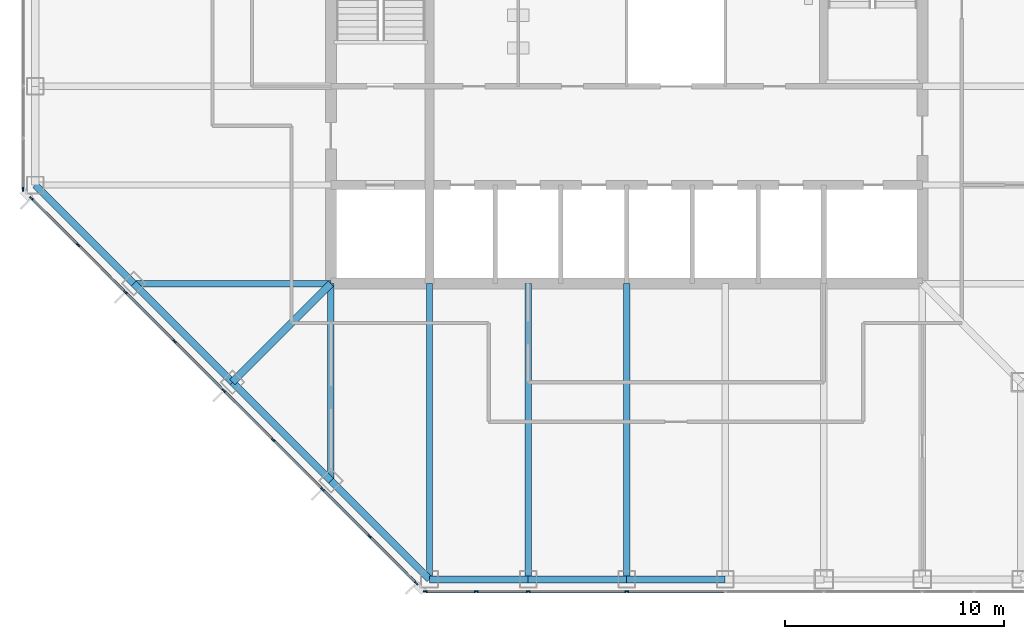
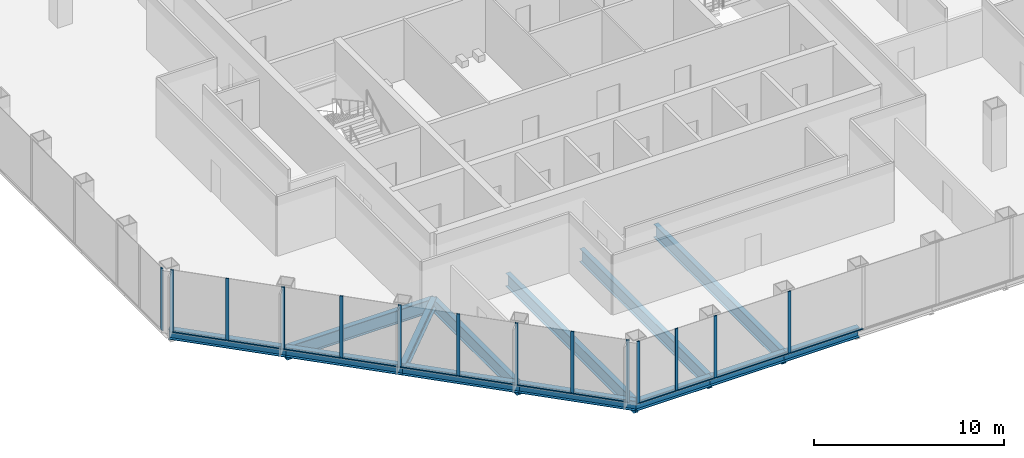
# One storey, part 2 of 12: 26 members, 13 beams, 3 elements without a shape of their own.
"""IFC4 building model written with IfcOpenShell, lengths in metres."""

from ifc_helpers import new_model, si_unit, direction, frame, origin, origin_2d, place, context, subcontext, project, spatial, rectangle, i_section, extrude, material, material_profile, profile_set, type_object, element, aggregate, save


model = new_model("IFC4")

# Units and contexts
model_context = context("Model", 3, precision=1e-05, world=origin(), true_north=direction((0.0, 1.0)))
body_context = subcontext(model_context, "Body", "Model", "MODEL_VIEW")
ifc_project = project(units=[si_unit("LENGTHUNIT", "METRE"), si_unit("AREAUNIT", "SQUARE_METRE"), si_unit("VOLUMEUNIT", "CUBIC_METRE"), si_unit("PLANEANGLEUNIT", "RADIAN"), si_unit("MASSUNIT", "GRAM", prefix="KILO")], contexts=[model_context])

# Site, building, storey
site_placement = place(None, origin())
site = spatial("IfcSite", under=ifc_project, at=site_placement, CompositionType="ELEMENT")
building_placement = place(site_placement, origin())
building = spatial("IfcBuilding", under=site, at=building_placement, Name="Corais Broadcast Tower", CompositionType="ELEMENT")
storey_placement = place(building_placement, frame((0.0, 0.0, 115.60009765625)))
storey = spatial("IfcBuildingStorey", under=building, at=storey_placement, Name="L25", CompositionType="ELEMENT", Elevation=115.60009765625)

# Beams
ifc_material_1 = material(Name="Steel ASTM A572 Grade 50", Category="steel")
ifc_material_profile_1 = material_profile(ifc_material_1, i_section(OverallWidth=0.323974609375, OverallDepth=0.611083984375, WebThickness=0.0126953125, FlangeThickness=0.01904296875, at=origin_2d()), Name="W610x155")
ifc_profile_set_1 = profile_set([ifc_material_profile_1], Name="Steel ASTM A572 Grade 50")
beam_type_1 = type_object("IfcBeamType", Name="Corner diagonal W610x155", PredefinedType="BEAM", material=ifc_profile_set_1)
beam_1_placement = place(storey_placement, frame((9.0, 9.0, -0.465576171875), z_axis=(0.707106781187, 0.707106781187, 0.0), x_axis=(-0.707106781187, 0.707106781187, 0.0)))
element("IfcBeam", 1, at=beam_1_placement, inside=storey, type_object=beam_type_1, Name="B6 C/5 to D/6", PredefinedType="BEAM", context=body_context, shape_type="SweptSolid", body=[
    extrude(i_section(OverallWidth=0.323974609375, OverallDepth=0.611083984375, WebThickness=0.0126953125, FlangeThickness=0.01904296875, at=origin_2d()), origin(), (0.0, 0.0, 1.0), 6.364013671875),
])
ifc_material_2 = material(Name="Steel ASTM A572 Grade 50", Category="steel")
ifc_material_profile_2 = material_profile(ifc_material_2, i_section(OverallWidth=0.2939453125, OverallDepth=0.85107421875, WebThickness=0.01611328125, FlangeThickness=0.02685546875, at=origin_2d()), Name="W840x226")
ifc_profile_set_2 = profile_set([ifc_material_profile_2], Name="Steel ASTM A572 Grade 50")
beam_type_2 = type_object("IfcBeamType", Name="Floor beam W840x226", PredefinedType="BEAM", material=ifc_profile_set_2)
beam_2_placement = place(storey_placement, frame((13.5, 4.5, -0.585693359375), z_axis=(0.0, 1.0, 0.0), x_axis=(-1.0, 0.0, 0.0)))
element("IfcBeam", 2, at=beam_2_placement, inside=storey, type_object=beam_type_2, Name="B1 B/6 to D/6", PredefinedType="BEAM", context=body_context, shape_type="SweptSolid", body=[
    extrude(i_section(OverallWidth=0.2939453125, OverallDepth=0.85107421875, WebThickness=0.01611328125, FlangeThickness=0.02685546875, at=origin_2d()), origin(), (0.0, 0.0, 1.0), 9.0),
])
for number, where, z_axis, x_axis, name in (
    (3, (18.0, 0.0, -0.585693359375), (0.0, 1.0, 0.0), (-1.0, 0.0, 0.0), "B1 A/7 to D/7"),
    (4, (22.5, 0.0, -0.585693359375), (0.0, 1.0, 0.0), (-1.0, 0.0, 0.0), "B1 A/8 to D/8"),
    (5, (27.0, 0.0, -0.585693359375), (0.0, 1.0, 0.0), (-1.0, 0.0, 0.0), "B1 A/9 to D/9"),
):
    element("IfcBeam", number, at=place(storey_placement, frame(where, z_axis=z_axis, x_axis=x_axis)), inside=storey, type_object=beam_type_2, Name=name, PredefinedType="BEAM", context=body_context, shape_type="SweptSolid", body=[
        extrude(i_section(OverallWidth=0.2939453125, OverallDepth=0.85107421875, WebThickness=0.01611328125, FlangeThickness=0.02685546875, at=origin_2d()), origin(), (0.0, 0.0, 1.0), 13.5),
    ])
beam_3_placement = place(storey_placement, frame((4.5, 13.5, -0.585693359375), z_axis=(1.0, 0.0, 0.0), x_axis=(0.0, 1.0, 0.0)))
element("IfcBeam", 6, at=beam_3_placement, inside=storey, type_object=beam_type_2, Name="B1 D/4 to D/6", PredefinedType="BEAM", context=body_context, shape_type="SweptSolid", body=[
    extrude(i_section(OverallWidth=0.2939453125, OverallDepth=0.85107421875, WebThickness=0.01611328125, FlangeThickness=0.02685546875, at=origin_2d()), origin(), (0.0, 0.0, 1.0), 9.0),
])

# Curtain wall, members
ifc_material_3 = material(Name="Aluminium and glass", Category="aluminium")
curtain_wall_type = type_object("IfcCurtainWallType", Name="Unitised fritted curtain wall CW2", PredefinedType="NOTDEFINED", material=ifc_material_3)
curtain_wall_1_placement = place(storey_placement, origin())
curtain_wall_1 = element("IfcCurtainWall", 7, at=curtain_wall_1_placement, inside=storey, type_object=curtain_wall_type, Name="CW2 curtain wall L25 1", PredefinedType="NOTDEFINED")
ifc_material_4 = material(Name="Aluminium 6063-T6", Category="aluminium")
ifc_material_profile_3 = material_profile(ifc_material_4, rectangle(XDim=0.06494140625, YDim=0.179931640625, at=origin_2d()), Name="Mullion CW2 65x180")
ifc_profile_set_3 = profile_set([ifc_material_profile_3], Name="Aluminium 6063-T6")
member_type_1 = type_object("IfcMemberType", Name="Mullion CW2 65x180", PredefinedType="MULLION", material=ifc_profile_set_3)
member_1_placement = place(storey_placement, frame((17.3955078125, -0.17333984375, 0.0), z_axis=(0.0, 0.0, 1.0), x_axis=(-0.707106781187, -0.707106781187, 0.0)))
member_1 = element("IfcMember", 8, at=member_1_placement, type_object=member_type_1, Name="CW2 mullion 1", PredefinedType="MULLION", context=body_context, shape_type="SweptSolid", body=[
    extrude(rectangle(XDim=0.06494140625, YDim=0.179931640625, at=origin_2d()), origin(), (0.0, 0.0, 1.0), 4.0),
])
member_2_placement = place(storey_placement, frame((15.264892578125, 1.957275390625, 0.0), z_axis=(0.0, 0.0, 1.0), x_axis=(-0.707106781187, -0.707106781187, 0.0)))
member_2 = element("IfcMember", 9, at=member_2_placement, type_object=member_type_1, Name="CW2 mullion 2", PredefinedType="MULLION", context=body_context, shape_type="SweptSolid", body=[
    extrude(rectangle(XDim=0.06494140625, YDim=0.179931640625, at=origin_2d()), origin(), (0.0, 0.0, 1.0), 4.0),
])
member_3_placement = place(storey_placement, frame((13.111083984375, 4.111083984375, 0.0), z_axis=(0.0, 0.0, 1.0), x_axis=(-0.707106781187, -0.707106781187, 0.0)))
member_3 = element("IfcMember", 10, at=member_3_placement, type_object=member_type_1, Name="CW2 mullion 3", PredefinedType="MULLION", context=body_context, shape_type="SweptSolid", body=[
    extrude(rectangle(XDim=0.06494140625, YDim=0.179931640625, at=origin_2d()), origin(), (0.0, 0.0, 1.0), 4.0),
])
member_4_placement = place(storey_placement, frame((10.861083984375, 6.361083984375, 0.0), z_axis=(0.0, 0.0, 1.0), x_axis=(-0.707106781187, -0.707106781187, 0.0)))
member_4 = element("IfcMember", 11, at=member_4_placement, type_object=member_type_1, Name="CW2 mullion 4", PredefinedType="MULLION", context=body_context, shape_type="SweptSolid", body=[
    extrude(rectangle(XDim=0.06494140625, YDim=0.179931640625, at=origin_2d()), origin(), (0.0, 0.0, 1.0), 4.0),
])
member_5_placement = place(storey_placement, frame((8.611083984375, 8.611083984375, 0.0), z_axis=(0.0, 0.0, 1.0), x_axis=(-0.707106781187, -0.707106781187, 0.0)))
member_5 = element("IfcMember", 12, at=member_5_placement, type_object=member_type_1, Name="CW2 mullion 5", PredefinedType="MULLION", context=body_context, shape_type="SweptSolid", body=[
    extrude(rectangle(XDim=0.06494140625, YDim=0.179931640625, at=origin_2d()), origin(), (0.0, 0.0, 1.0), 4.0),
])
member_6_placement = place(storey_placement, frame((6.361083984375, 10.861083984375, 0.0), z_axis=(0.0, 0.0, 1.0), x_axis=(-0.707106781187, -0.707106781187, 0.0)))
member_6 = element("IfcMember", 13, at=member_6_placement, type_object=member_type_1, Name="CW2 mullion 6", PredefinedType="MULLION", context=body_context, shape_type="SweptSolid", body=[
    extrude(rectangle(XDim=0.06494140625, YDim=0.179931640625, at=origin_2d()), origin(), (0.0, 0.0, 1.0), 4.0),
])
member_7_placement = place(storey_placement, frame((4.111083984375, 13.111083984375, 0.0), z_axis=(0.0, 0.0, 1.0), x_axis=(-0.707106781187, -0.707106781187, 0.0)))
member_7 = element("IfcMember", 14, at=member_7_placement, type_object=member_type_1, Name="CW2 mullion 7", PredefinedType="MULLION", context=body_context, shape_type="SweptSolid", body=[
    extrude(rectangle(XDim=0.06494140625, YDim=0.179931640625, at=origin_2d()), origin(), (0.0, 0.0, 1.0), 4.0),
])
member_8_placement = place(storey_placement, frame((1.957275390625, 15.264892578125, 0.0), z_axis=(0.0, 0.0, 1.0), x_axis=(-0.707106781187, -0.707106781187, 0.0)))
member_8 = element("IfcMember", 15, at=member_8_placement, type_object=member_type_1, Name="CW2 mullion 8", PredefinedType="MULLION", context=body_context, shape_type="SweptSolid", body=[
    extrude(rectangle(XDim=0.06494140625, YDim=0.179931640625, at=origin_2d()), origin(), (0.0, 0.0, 1.0), 4.0),
])
member_9_placement = place(storey_placement, frame((-0.17333984375, 17.3955078125, 0.0), z_axis=(0.0, 0.0, 1.0), x_axis=(-0.707106781187, -0.707106781187, 0.0)))
member_9 = element("IfcMember", 16, at=member_9_placement, type_object=member_type_1, Name="CW2 mullion 9", PredefinedType="MULLION", context=body_context, shape_type="SweptSolid", body=[
    extrude(rectangle(XDim=0.06494140625, YDim=0.179931640625, at=origin_2d()), origin(), (0.0, 0.0, 1.0), 4.0),
])

# Curtain wall, member
curtain_wall_2_placement = place(storey_placement, origin())
curtain_wall_2 = element("IfcCurtainWall", 17, at=curtain_wall_2_placement, inside=storey, type_object=curtain_wall_type, Name="CW2 curtain wall L25 2", PredefinedType="NOTDEFINED")
member_10_placement = place(storey_placement, frame((-0.550048828125, 17.8046875, 0.0), z_axis=(0.0, 0.0, 1.0), x_axis=(-1.0, 0.0, 0.0)))
member_10 = element("IfcMember", 18, at=member_10_placement, type_object=member_type_1, Name="CW2 mullion 1", PredefinedType="MULLION", context=body_context, shape_type="SweptSolid", body=[
    extrude(rectangle(XDim=0.06494140625, YDim=0.179931640625, at=origin_2d()), origin(), (0.0, 0.0, 1.0), 4.0),
])
aggregate(curtain_wall_2, [member_10])

# Curtain wall, members
curtain_wall_3_placement = place(storey_placement, origin())
curtain_wall_3 = element("IfcCurtainWall", 19, at=curtain_wall_3_placement, inside=storey, type_object=curtain_wall_type, Name="CW2 curtain wall L25 8", PredefinedType="NOTDEFINED")
member_11_placement = place(storey_placement, frame((27.0, -0.550048828125, 0.0), z_axis=(0.0, 0.0, 1.0), x_axis=(0.0, -1.0, 0.0)))
member_11 = element("IfcMember", 20, at=member_11_placement, type_object=member_type_1, Name="CW2 mullion 6", PredefinedType="MULLION", context=body_context, shape_type="SweptSolid", body=[
    extrude(rectangle(XDim=0.06494140625, YDim=0.179931640625, at=origin_2d()), origin(), (0.0, 0.0, 1.0), 4.0),
])
member_12_placement = place(storey_placement, frame((22.5, -0.550048828125, 0.0), z_axis=(0.0, 0.0, 1.0), x_axis=(0.0, -1.0, 0.0)))
member_12 = element("IfcMember", 21, at=member_12_placement, type_object=member_type_1, Name="CW2 mullion 7", PredefinedType="MULLION", context=body_context, shape_type="SweptSolid", body=[
    extrude(rectangle(XDim=0.06494140625, YDim=0.179931640625, at=origin_2d()), origin(), (0.0, 0.0, 1.0), 4.0),
])
member_13_placement = place(storey_placement, frame((20.135986328125, -0.550048828125, 0.0), z_axis=(0.0, 0.0, 1.0), x_axis=(0.0, -1.0, 0.0)))
member_13 = element("IfcMember", 22, at=member_13_placement, type_object=member_type_1, Name="CW2 mullion 8", PredefinedType="MULLION", context=body_context, shape_type="SweptSolid", body=[
    extrude(rectangle(XDim=0.06494140625, YDim=0.179931640625, at=origin_2d()), origin(), (0.0, 0.0, 1.0), 4.0),
])
member_14_placement = place(storey_placement, frame((17.8046875, -0.550048828125, 0.0), z_axis=(0.0, 0.0, 1.0), x_axis=(0.0, -1.0, 0.0)))
member_14 = element("IfcMember", 23, at=member_14_placement, type_object=member_type_1, Name="CW2 mullion 9", PredefinedType="MULLION", context=body_context, shape_type="SweptSolid", body=[
    extrude(rectangle(XDim=0.06494140625, YDim=0.179931640625, at=origin_2d()), origin(), (0.0, 0.0, 1.0), 4.0),
])

# Beams
ifc_material_5 = material(Name="Steel ASTM A572 Grade 50", Category="steel")
ifc_material_profile_4 = material_profile(ifc_material_5, i_section(OverallWidth=0.3291015625, OverallDepth=0.635009765625, WebThickness=0.017822265625, FlangeThickness=0.031005859375, at=origin_2d()), Name="W610x241")
ifc_profile_set_4 = profile_set([ifc_material_profile_4], Name="Steel ASTM A572 Grade 50")
beam_type_3 = type_object("IfcBeamType", Name="Spandrel W610x241", PredefinedType="BEAM", material=ifc_profile_set_4)
for number, where, z_axis, x_axis, name in (
    (24, (0.0, 18.0, -0.4775390625), (0.707106781187, -0.707106781187, 0.0), (0.707106781187, 0.707106781187, 0.0), "SB1 E/3 to D/4"),
    (25, (13.5, 4.5, -0.4775390625), (0.707106781187, -0.707106781187, 0.0), (0.707106781187, 0.707106781187, 0.0), "SB1 B/6 to A/7"),
):
    element("IfcBeam", number, at=place(storey_placement, frame(where, z_axis=z_axis, x_axis=x_axis)), inside=storey, type_object=beam_type_3, Name=name, PredefinedType="BEAM", context=body_context, shape_type="SweptSolid", body=[
        extrude(i_section(OverallWidth=0.3291015625, OverallDepth=0.635009765625, WebThickness=0.017822265625, FlangeThickness=0.031005859375, at=origin_2d()), origin(), (0.0, 0.0, 1.0), 6.364013671875),
    ])
for number, where, z_axis, x_axis, name in (
    (26, (18.0, 0.0, -0.4775390625), (1.0, 0.0, 0.0), (0.0, 1.0, 0.0), "SB1 A/7 to A/8"),
    (27, (22.5, 0.0, -0.4775390625), (1.0, 0.0, 0.0), (0.0, 1.0, 0.0), "SB1 A/8 to A/9"),
    (28, (27.0, 0.0, -0.4775390625), (1.0, 0.0, 0.0), (0.0, 1.0, 0.0), "SB1 A/9 to A/10"),
):
    element("IfcBeam", number, at=place(storey_placement, frame(where, z_axis=z_axis, x_axis=x_axis)), inside=storey, type_object=beam_type_3, Name=name, PredefinedType="BEAM", context=body_context, shape_type="SweptSolid", body=[
        extrude(i_section(OverallWidth=0.3291015625, OverallDepth=0.635009765625, WebThickness=0.017822265625, FlangeThickness=0.031005859375, at=origin_2d()), origin(), (0.0, 0.0, 1.0), 4.5),
    ])
for number, where, z_axis, x_axis, name in (
    (29, (4.5, 13.5, -0.4775390625), (0.707106781187, -0.707106781187, 0.0), (0.707106781187, 0.707106781187, 0.0), "SB1 D/4 to C/5"),
    (30, (9.0, 9.0, -0.4775390625), (0.707106781187, -0.707106781187, 0.0), (0.707106781187, 0.707106781187, 0.0), "SB1 C/5 to B/6"),
):
    element("IfcBeam", number, at=place(storey_placement, frame(where, z_axis=z_axis, x_axis=x_axis)), inside=storey, type_object=beam_type_3, Name=name, PredefinedType="BEAM", context=body_context, shape_type="SweptSolid", body=[
        extrude(i_section(OverallWidth=0.3291015625, OverallDepth=0.635009765625, WebThickness=0.017822265625, FlangeThickness=0.031005859375, at=origin_2d()), origin(), (0.0, 0.0, 1.0), 6.364013671875),
    ])

# Member
ifc_material_6 = material(Name="Aluminium 6063-T6", Category="aluminium")
ifc_material_profile_5 = material_profile(ifc_material_6, rectangle(XDim=0.1298828125, YDim=0.06494140625, at=origin_2d()), Name="Transom CW2 65x130")
ifc_profile_set_5 = profile_set([ifc_material_profile_5], Name="Aluminium 6063-T6")
member_type_2 = type_object("IfcMemberType", Name="Transom CW2 65x130", PredefinedType="USERDEFINED", material=ifc_profile_set_5)
member_15_placement = place(storey_placement, frame((17.37255859375, -0.150390625, 0.032470703125), z_axis=(-0.707106781187, 0.707106781187, 0.0), x_axis=(-0.707106781187, -0.707106781187, 0.0)))
member_15 = element("IfcMember", 31, at=member_15_placement, type_object=member_type_2, Name="CW2 transom 1.1", ObjectType="TRANSOM", PredefinedType="USERDEFINED", context=body_context, shape_type="SweptSolid", body=[
    extrude(rectangle(XDim=0.1298828125, YDim=0.06494140625, at=origin_2d()), origin(), (0.0, 0.0, 1.0), 2.9482421875),
])

member_16_placement = place(storey_placement, frame((15.241943359375, 1.980224609375, 0.032470703125), z_axis=(-0.707106781187, 0.707106781187, 0.0), x_axis=(-0.707106781187, -0.707106781187, 0.0)))
member_16 = element("IfcMember", 32, at=member_16_placement, type_object=member_type_2, Name="CW2 transom 2.1", ObjectType="TRANSOM", PredefinedType="USERDEFINED", context=body_context, shape_type="SweptSolid", body=[
    extrude(rectangle(XDim=0.1298828125, YDim=0.06494140625, at=origin_2d()), origin(), (0.0, 0.0, 1.0), 2.98095703125),
])

member_17_placement = place(storey_placement, frame((13.088134765625, 4.134033203125, 0.032470703125), z_axis=(-0.707106781187, 0.707106781187, 0.0), x_axis=(-0.707106781187, -0.707106781187, 0.0)))
member_17 = element("IfcMember", 33, at=member_17_placement, type_object=member_type_2, Name="CW2 transom 3.1", ObjectType="TRANSOM", PredefinedType="USERDEFINED", context=body_context, shape_type="SweptSolid", body=[
    extrude(rectangle(XDim=0.1298828125, YDim=0.06494140625, at=origin_2d()), origin(), (0.0, 0.0, 1.0), 3.1171875),
])

member_18_placement = place(storey_placement, frame((10.838134765625, 6.384033203125, 0.032470703125), z_axis=(-0.707106781187, 0.707106781187, 0.0), x_axis=(-0.707106781187, -0.707106781187, 0.0)))
member_18 = element("IfcMember", 34, at=member_18_placement, type_object=member_type_2, Name="CW2 transom 4.1", ObjectType="TRANSOM", PredefinedType="USERDEFINED", context=body_context, shape_type="SweptSolid", body=[
    extrude(rectangle(XDim=0.1298828125, YDim=0.06494140625, at=origin_2d()), origin(), (0.0, 0.0, 1.0), 3.1171875),
])

member_19_placement = place(storey_placement, frame((8.588134765625, 8.634033203125, 0.032470703125), z_axis=(-0.707106781187, 0.707106781187, 0.0), x_axis=(-0.707106781187, -0.707106781187, 0.0)))
member_19 = element("IfcMember", 35, at=member_19_placement, type_object=member_type_2, Name="CW2 transom 5.1", ObjectType="TRANSOM", PredefinedType="USERDEFINED", context=body_context, shape_type="SweptSolid", body=[
    extrude(rectangle(XDim=0.1298828125, YDim=0.06494140625, at=origin_2d()), origin(), (0.0, 0.0, 1.0), 3.1171875),
])

member_20_placement = place(storey_placement, frame((6.338134765625, 10.884033203125, 0.032470703125), z_axis=(-0.707106781187, 0.707106781187, 0.0), x_axis=(-0.707106781187, -0.707106781187, 0.0)))
member_20 = element("IfcMember", 36, at=member_20_placement, type_object=member_type_2, Name="CW2 transom 6.1", ObjectType="TRANSOM", PredefinedType="USERDEFINED", context=body_context, shape_type="SweptSolid", body=[
    extrude(rectangle(XDim=0.1298828125, YDim=0.06494140625, at=origin_2d()), origin(), (0.0, 0.0, 1.0), 3.1171875),
])

member_21_placement = place(storey_placement, frame((4.088134765625, 13.134033203125, 0.032470703125), z_axis=(-0.707065828661, 0.70714773134, 0.0), x_axis=(-0.70714773134, -0.707065828661, 0.0)))
member_21 = element("IfcMember", 37, at=member_21_placement, type_object=member_type_2, Name="CW2 transom 7.1", ObjectType="TRANSOM", PredefinedType="USERDEFINED", context=body_context, shape_type="SweptSolid", body=[
    extrude(rectangle(XDim=0.1298828125, YDim=0.06494140625, at=origin_2d()), origin(), (0.0, 0.0, 1.0), 2.98095703125),
])

member_22_placement = place(storey_placement, frame((1.934326171875, 15.287841796875, 0.032470703125), z_axis=(-0.707106781187, 0.707106781187, 0.0), x_axis=(-0.707106781187, -0.707106781187, 0.0)))
member_22 = element("IfcMember", 38, at=member_22_placement, type_object=member_type_2, Name="CW2 transom 8.1", ObjectType="TRANSOM", PredefinedType="USERDEFINED", context=body_context, shape_type="SweptSolid", body=[
    extrude(rectangle(XDim=0.1298828125, YDim=0.06494140625, at=origin_2d()), origin(), (0.0, 0.0, 1.0), 2.9482421875),
])

aggregate(curtain_wall_1, [member_1, member_2, member_3, member_4, member_5, member_6, member_7, member_8, member_9, member_15, member_16, member_17, member_18, member_19, member_20, member_21, member_22])

member_23_placement = place(storey_placement, frame((31.467529296875, -0.550048828125, 0.032470703125), z_axis=(-1.0, 0.0, 0.0), x_axis=(0.0, -1.0, 0.0)))
member_23 = element("IfcMember", 39, at=member_23_placement, type_object=member_type_2, Name="CW2 transom 5.1", ObjectType="TRANSOM", PredefinedType="USERDEFINED", context=body_context, shape_type="SweptSolid", body=[
    extrude(rectangle(XDim=0.1298828125, YDim=0.06494140625, at=origin_2d()), origin(), (0.0, 0.0, 1.0), 4.43505859375),
])

member_24_placement = place(storey_placement, frame((26.967529296875, -0.550048828125, 0.032470703125), z_axis=(-1.0, 0.0, 0.0), x_axis=(0.0, -1.0, 0.0)))
member_24 = element("IfcMember", 40, at=member_24_placement, type_object=member_type_2, Name="CW2 transom 6.1", ObjectType="TRANSOM", PredefinedType="USERDEFINED", context=body_context, shape_type="SweptSolid", body=[
    extrude(rectangle(XDim=0.1298828125, YDim=0.06494140625, at=origin_2d()), origin(), (0.0, 0.0, 1.0), 4.43505859375),
])

member_25_placement = place(storey_placement, frame((22.467529296875, -0.550048828125, 0.032470703125), z_axis=(-1.0, 0.0, 0.0), x_axis=(0.0, -1.0, 0.0)))
member_25 = element("IfcMember", 41, at=member_25_placement, type_object=member_type_2, Name="CW2 transom 7.1", ObjectType="TRANSOM", PredefinedType="USERDEFINED", context=body_context, shape_type="SweptSolid", body=[
    extrude(rectangle(XDim=0.1298828125, YDim=0.06494140625, at=origin_2d()), origin(), (0.0, 0.0, 1.0), 2.298828125),
])

member_26_placement = place(storey_placement, frame((20.103515625, -0.550048828125, 0.032470703125), z_axis=(-1.0, 0.0, 0.0), x_axis=(0.0, -1.0, 0.0)))
member_26 = element("IfcMember", 42, at=member_26_placement, type_object=member_type_2, Name="CW2 transom 8.1", ObjectType="TRANSOM", PredefinedType="USERDEFINED", context=body_context, shape_type="SweptSolid", body=[
    extrude(rectangle(XDim=0.1298828125, YDim=0.06494140625, at=origin_2d()), origin(), (0.0, 0.0, 1.0), 2.266357421875),
])

aggregate(curtain_wall_3, [member_11, member_12, member_13, member_14, member_23, member_24, member_25, member_26])

save(model, "model.ifc")
